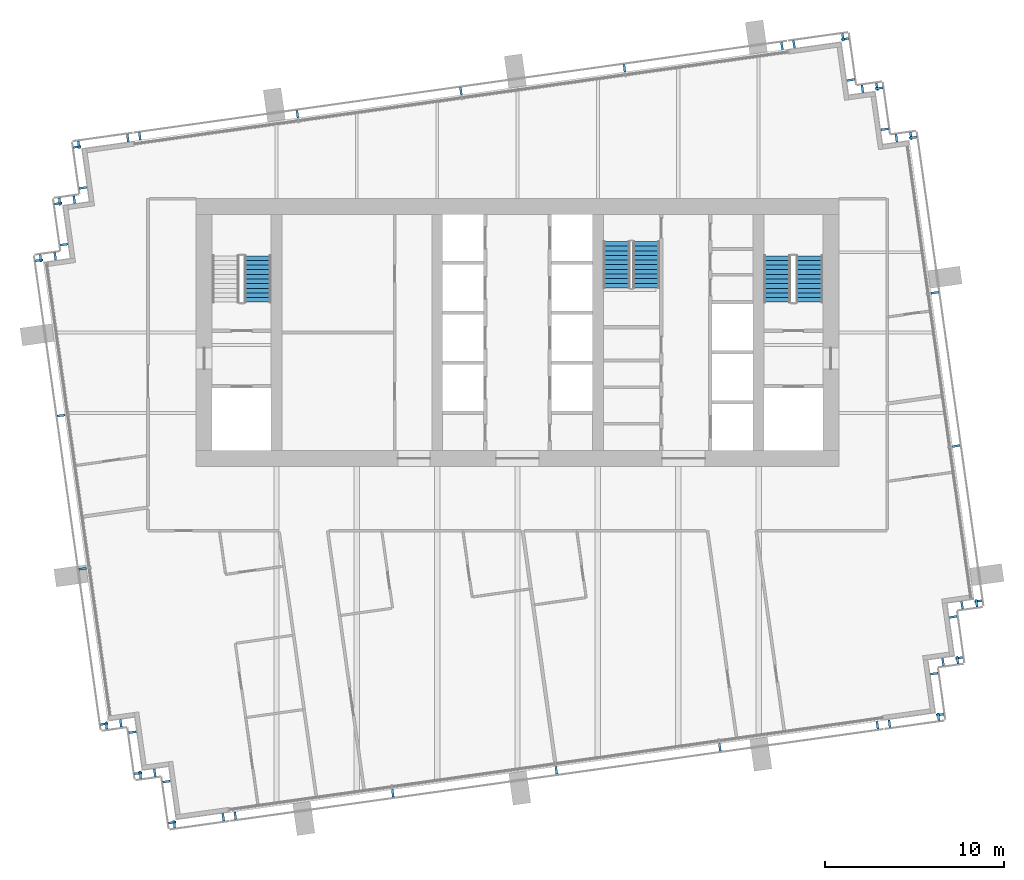
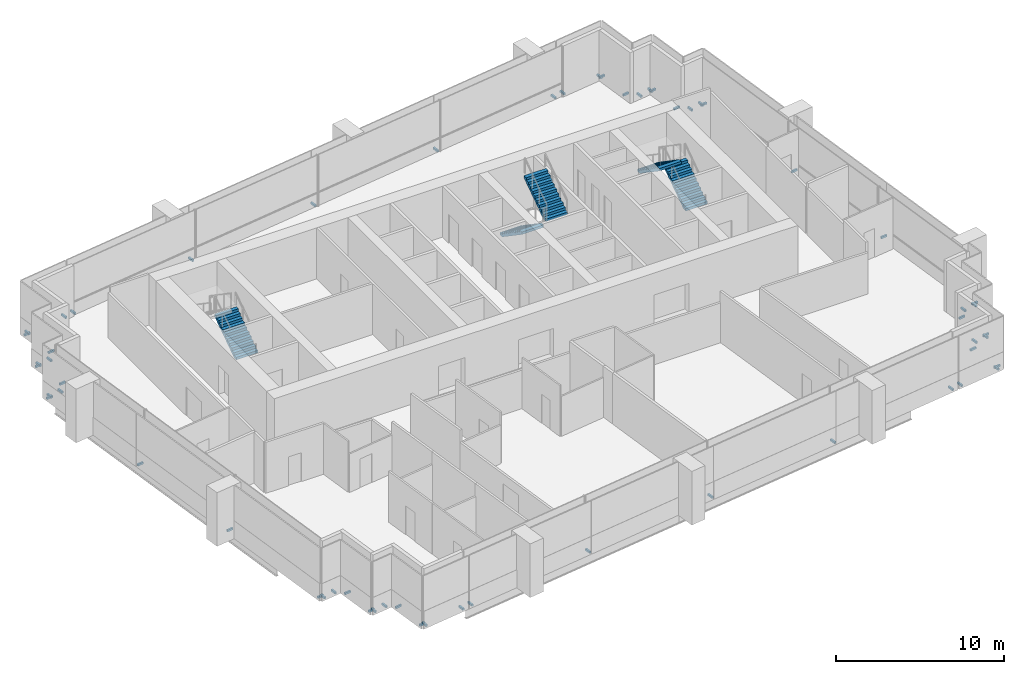
# One storey, part 11 of 15: 58 discrete accessories, 5 stair flights, 3 elements without a shape of their own.
"""IFC4 building model written with IfcOpenShell, lengths in metres."""

from ifc_helpers import new_model, si_unit, direction, frame, origin, origin_2d, place, context, subcontext, project, spatial, polyline, rectangle, outline, extrude, material, type_object, element, aggregate, save


model = new_model("IFC4")

# Units and contexts
model_context = context("Model", 3, precision=1e-05, world=origin(), true_north=direction((0.0, 1.0)))
body_context = subcontext(model_context, "Body", "Model", "MODEL_VIEW")
ifc_project = project(units=[si_unit("LENGTHUNIT", "METRE"), si_unit("AREAUNIT", "SQUARE_METRE"), si_unit("VOLUMEUNIT", "CUBIC_METRE"), si_unit("PLANEANGLEUNIT", "RADIAN"), si_unit("MASSUNIT", "GRAM", prefix="KILO")], contexts=[model_context])

# Site, building, storey
site_placement = place(None, origin())
site = spatial("IfcSite", under=ifc_project, at=site_placement, CompositionType="ELEMENT")
building_placement = place(site_placement, origin())
building = spatial("IfcBuilding", under=site, at=building_placement, Name="Rattan Terrace Tower", CompositionType="ELEMENT")
storey_placement = place(building_placement, frame((0.0, 0.0, 274.60009765625)))
storey = spatial("IfcBuildingStorey", under=building, at=storey_placement, Name="L63", CompositionType="ELEMENT", Elevation=274.60009765625)

# Stair, stair flight
ifc_material_1 = material(Name="Concrete C40/50", Category="concrete")
stair_type = type_object("IfcStairType", Name="Core exit stair 1500", PredefinedType="HALF_TURN_STAIR", material=ifc_material_1)
stair_1_placement = place(storey_placement, origin())
stair_1 = element("IfcStair", 1, at=stair_1_placement, inside=storey, type_object=stair_type, Name="L63 exit stair 1", PredefinedType="HALF_TURN_STAIR")
ifc_material_2 = material(Name="Concrete C40/50", Category="concrete")
stair_flight_type = type_object("IfcStairFlightType", Name="Core exit stair flight 1500", PredefinedType="STRAIGHT", material=ifc_material_2)
stair_flight_1_placement = place(storey_placement, frame((-14.550048828125, 1.699951171875, 0.0), z_axis=(0.0, 0.0, 1.0), x_axis=(0.0, 1.0, 0.0)))
stair_flight_1 = element("IfcStairFlight", 2, at=stair_flight_1_placement, type_object=stair_flight_type, Name="S1 flight 1", NumberOfRisers=11, NumberOfTreads=10, PredefinedType="STRAIGHT", RiserHeight=0.177272727, TreadLength=0.26, context=body_context, shape_type="SweptSolid", body=[
    extrude(outline(polyline([(0.0, 0.0), (0.0, 0.17724609375), (0.260009765625, 0.17724609375), (0.260009765625, 0.3544921875), (0.52001953125, 0.3544921875), (0.52001953125, 0.53173828125), (0.780029296875, 0.53173828125), (0.780029296875, 0.708984375), (1.0400390625, 0.708984375), (1.0400390625, 0.886474609375), (1.300048828125, 0.886474609375), (1.300048828125, 1.063720703125), (1.56005859375, 1.063720703125), (1.56005859375, 1.240966796875), (1.820068359375, 1.240966796875), (1.820068359375, 1.418212890625), (2.080078125, 1.418212890625), (2.080078125, 1.595458984375), (2.340087890625, 1.595458984375), (2.340087890625, 1.772705078125), (2.60009765625, 1.772705078125), (2.60009765625, 1.949951171875), (2.60009765625, 1.59130859375), (0.26611328125, 0.0), (0.0, 0.0)])), frame((0.0, 0.75, 0.0), z_axis=(0.0, -1.0, 0.0), x_axis=(1.0, 0.0, 0.0)), (0.0, 0.0, 1.0), 1.5),
])
aggregate(stair_1, [stair_flight_1])

# Stair, stair flights
stair_2_placement = place(storey_placement, origin())
stair_2 = element("IfcStair", 3, at=stair_2_placement, inside=storey, type_object=stair_type, Name="L63 exit stair 2", PredefinedType="HALF_TURN_STAIR")
stair_flight_2_placement = place(storey_placement, frame((16.35009765625, 1.699951171875, 0.0), z_axis=(0.0, 0.0, 1.0), x_axis=(0.0, 1.0, 0.0)))
stair_flight_2 = element("IfcStairFlight", 4, at=stair_flight_2_placement, type_object=stair_flight_type, Name="S2 flight 1", NumberOfRisers=11, NumberOfTreads=10, PredefinedType="STRAIGHT", RiserHeight=0.177272727, TreadLength=0.26, context=body_context, shape_type="SweptSolid", body=[
    extrude(outline(polyline([(0.0, 0.0), (0.0, 0.17724609375), (0.260009765625, 0.17724609375), (0.260009765625, 0.3544921875), (0.52001953125, 0.3544921875), (0.52001953125, 0.53173828125), (0.780029296875, 0.53173828125), (0.780029296875, 0.708984375), (1.0400390625, 0.708984375), (1.0400390625, 0.886474609375), (1.300048828125, 0.886474609375), (1.300048828125, 1.063720703125), (1.56005859375, 1.063720703125), (1.56005859375, 1.240966796875), (1.820068359375, 1.240966796875), (1.820068359375, 1.418212890625), (2.080078125, 1.418212890625), (2.080078125, 1.595458984375), (2.340087890625, 1.595458984375), (2.340087890625, 1.772705078125), (2.60009765625, 1.772705078125), (2.60009765625, 1.949951171875), (2.60009765625, 1.59130859375), (0.26611328125, 0.0), (0.0, 0.0)])), frame((0.0, 0.75, 0.0), z_axis=(0.0, -1.0, 0.0), x_axis=(1.0, 0.0, 0.0)), (0.0, 0.0, 1.0), 1.5),
])
stair_flight_3_placement = place(storey_placement, frame((14.550048828125, 4.300048828125, 1.949951171875), z_axis=(0.0, 0.0, 1.0), x_axis=(0.0, -1.0, 0.0)))
stair_flight_3 = element("IfcStairFlight", 5, at=stair_flight_3_placement, type_object=stair_flight_type, Name="S2 flight 2", NumberOfRisers=11, NumberOfTreads=10, PredefinedType="STRAIGHT", RiserHeight=0.177272727, TreadLength=0.26, context=body_context, shape_type="SweptSolid", body=[
    extrude(outline(polyline([(0.0, 0.0), (0.0, 0.17724609375), (0.260009765625, 0.17724609375), (0.260009765625, 0.3544921875), (0.52001953125, 0.3544921875), (0.52001953125, 0.53173828125), (0.780029296875, 0.53173828125), (0.780029296875, 0.708984375), (1.0400390625, 0.708984375), (1.0400390625, 0.886474609375), (1.300048828125, 0.886474609375), (1.300048828125, 1.063720703125), (1.56005859375, 1.063720703125), (1.56005859375, 1.240966796875), (1.820068359375, 1.240966796875), (1.820068359375, 1.418212890625), (2.080078125, 1.418212890625), (2.080078125, 1.595458984375), (2.340087890625, 1.595458984375), (2.340087890625, 1.772705078125), (2.60009765625, 1.772705078125), (2.60009765625, 1.949951171875), (2.60009765625, 1.59130859375), (0.26611328125, 0.0), (0.0, 0.0)])), frame((0.0, 0.75, 0.0), z_axis=(0.0, -1.0, 0.0), x_axis=(1.0, 0.0, 0.0)), (0.0, 0.0, 1.0), 1.5),
])
aggregate(stair_2, [stair_flight_2, stair_flight_3])

stair_3_placement = place(storey_placement, origin())
stair_3 = element("IfcStair", 6, at=stair_3_placement, inside=storey, type_object=stair_type, Name="L63 exit stair 3", PredefinedType="HALF_TURN_STAIR")
stair_flight_4_placement = place(storey_placement, frame((5.550048828125, 5.10009765625, 0.0), z_axis=(0.0, 0.0, 1.0), x_axis=(0.0, -1.0, 0.0)))
stair_flight_4 = element("IfcStairFlight", 7, at=stair_flight_4_placement, type_object=stair_flight_type, Name="S3 flight 1", NumberOfRisers=11, NumberOfTreads=10, PredefinedType="STRAIGHT", RiserHeight=0.177272727, TreadLength=0.26, context=body_context, shape_type="SweptSolid", body=[
    extrude(outline(polyline([(0.0, 0.0), (0.0, 0.17724609375), (0.260009765625, 0.17724609375), (0.260009765625, 0.3544921875), (0.52001953125, 0.3544921875), (0.52001953125, 0.53173828125), (0.780029296875, 0.53173828125), (0.780029296875, 0.708984375), (1.0400390625, 0.708984375), (1.0400390625, 0.886474609375), (1.300048828125, 0.886474609375), (1.300048828125, 1.063720703125), (1.56005859375, 1.063720703125), (1.56005859375, 1.240966796875), (1.820068359375, 1.240966796875), (1.820068359375, 1.418212890625), (2.080078125, 1.418212890625), (2.080078125, 1.595458984375), (2.340087890625, 1.595458984375), (2.340087890625, 1.772705078125), (2.60009765625, 1.772705078125), (2.60009765625, 1.949951171875), (2.60009765625, 1.59130859375), (0.26611328125, 0.0), (0.0, 0.0)])), frame((0.0, 0.75, 0.0), z_axis=(0.0, -1.0, 0.0), x_axis=(1.0, 0.0, 0.0)), (0.0, 0.0, 1.0), 1.5),
])
stair_flight_5_placement = place(storey_placement, frame((7.199951171875, 2.5, 1.949951171875), z_axis=(0.0, 0.0, 1.0), x_axis=(0.0, 1.0, 0.0)))
stair_flight_5 = element("IfcStairFlight", 8, at=stair_flight_5_placement, type_object=stair_flight_type, Name="S3 flight 2", NumberOfRisers=11, NumberOfTreads=10, PredefinedType="STRAIGHT", RiserHeight=0.177272727, TreadLength=0.26, context=body_context, shape_type="SweptSolid", body=[
    extrude(outline(polyline([(0.0, 0.0), (0.0, 0.17724609375), (0.260009765625, 0.17724609375), (0.260009765625, 0.3544921875), (0.52001953125, 0.3544921875), (0.52001953125, 0.53173828125), (0.780029296875, 0.53173828125), (0.780029296875, 0.708984375), (1.0400390625, 0.708984375), (1.0400390625, 0.886474609375), (1.300048828125, 0.886474609375), (1.300048828125, 1.063720703125), (1.56005859375, 1.063720703125), (1.56005859375, 1.240966796875), (1.820068359375, 1.240966796875), (1.820068359375, 1.418212890625), (2.080078125, 1.418212890625), (2.080078125, 1.595458984375), (2.340087890625, 1.595458984375), (2.340087890625, 1.772705078125), (2.60009765625, 1.772705078125), (2.60009765625, 1.949951171875), (2.60009765625, 1.59130859375), (0.26611328125, 0.0), (0.0, 0.0)])), frame((0.0, 0.75, 0.0), z_axis=(0.0, -1.0, 0.0), x_axis=(1.0, 0.0, 0.0)), (0.0, 0.0, 1.0), 1.5),
])
aggregate(stair_3, [stair_flight_4, stair_flight_5])

# Discrete accessories
for number, where, z_axis, x_axis, name in (
    (9, (20.829833984375, -21.900634765625, -0.169921875), (0.0, 0.0, 1.0), (0.990293172258, 0.138994363123, 0.0), "Panel bracket L63-1"),
    (10, (23.5732421875, -21.515625, -0.169921875), (0.0, 0.0, 1.0), (0.990293172258, 0.138994363123, 0.0), "Panel bracket L63-2"),
    (11, (23.658203125, -21.40283203125, -0.169921875), (0.0, 0.0, 1.0), (-0.138994363123, 0.990293172258, 0.0), "Panel bracket L63-3"),
    (12, (23.335693359375, -19.10498046875, -0.169921875), (0.0, 0.0, 1.0), (-0.138994363123, 0.990293172258, 0.0), "Panel bracket L63-4"),
    (13, (23.829345703125, -18.449951171875, -0.169921875), (0.0, 0.0, 1.0), (0.990240767803, 0.139367219175, 0.0), "Panel bracket L63-5"),
    (14, (24.64111328125, -18.335693359375, -0.169921875), (0.0, 0.0, 1.0), (0.990240767803, 0.139367219175, 0.0), "Panel bracket L63-6"),
    (15, (24.726318359375, -18.22265625, -0.169921875), (0.0, 0.0, 1.0), (-0.139367219175, 0.990240767803, 0.0), "Panel bracket L63-7"),
    (16, (24.403076171875, -15.926025390625, -0.169921875), (0.0, 0.0, 1.0), (-0.139367219175, 0.990240767803, 0.0), "Panel bracket L63-8"),
    (17, (24.896484375, -15.27099609375, -0.169921875), (0.0, 0.0, 1.0), (0.99025370695, 0.139275252184, 0.0), "Panel bracket L63-9"),
    (18, (25.708984375, -15.15673828125, -0.169921875), (0.0, 0.0, 1.0), (0.99025370695, 0.139275252184, 0.0), "Panel bracket L63-10"),
    (19, (25.794189453125, -15.043701171875, -0.169921875), (0.0, 0.0, 1.0), (-0.139191775431, 0.990265444036, 0.0), "Panel bracket L63-11"),
    (20, (24.572509765625, -6.35205078125, -0.169921875), (0.0, 0.0, 1.0), (-0.139191775431, 0.990265444036, 0.0), "Panel bracket L63-12"),
    (21, (23.3662109375, 2.23046875, -0.169921875), (0.0, 0.0, 1.0), (-0.139191775431, 0.990265444036, 0.0), "Panel bracket L63-13"),
    (22, (22.14453125, 10.921142578125, -0.169921875), (0.0, 0.0, 1.0), (-0.139191775431, 0.990265444036, 0.0), "Panel bracket L63-14"),
    (23, (22.03173828125, 11.00634765625, -0.169921875), (0.0, 0.0, 1.0), (-0.990240767803, -0.139367219175, 0.0), "Panel bracket L63-15"),
    (24, (21.219970703125, 10.89208984375, -0.169921875), (0.0, 0.0, 1.0), (-0.990240767803, -0.139367219175, 0.0), "Panel bracket L63-16"),
    (25, (20.56494140625, 11.385498046875, -0.169921875), (0.0, 0.0, 1.0), (-0.139321220646, 0.990247240581, 0.0), "Panel bracket L63-17"),
    (26, (20.24169921875, 13.682861328125, -0.169921875), (0.0, 0.0, 1.0), (-0.139321220646, 0.990247240581, 0.0), "Panel bracket L63-18"),
    (27, (20.12841796875, 13.768310546875, -0.169921875), (0.0, 0.0, 1.0), (-0.990332587523, -0.138713251317, 0.0), "Panel bracket L63-19"),
    (28, (19.31689453125, 13.654541015625, -0.169921875), (0.0, 0.0, 1.0), (-0.990332587523, -0.138713251317, 0.0), "Panel bracket L63-20"),
    (29, (18.661865234375, 14.148193359375, -0.169921875), (0.0, 0.0, 1.0), (-0.139367219175, 0.990240767803, 0.0), "Panel bracket L63-21"),
    (30, (18.338623046875, 16.445068359375, -0.169921875), (0.0, 0.0, 1.0), (-0.139367219175, 0.990240767803, 0.0), "Panel bracket L63-22"),
    (31, (18.2255859375, 16.5302734375, -0.169921875), (0.0, 0.0, 1.0), (-0.990286729519, -0.139040257974, 0.0), "Panel bracket L63-23"),
    (32, (15.4833984375, 16.145263671875, -0.169921875), (0.0, 0.0, 1.0), (-0.990286729519, -0.139040257974, 0.0), "Panel bracket L63-24"),
    (33, (14.81005859375, 16.050537109375, -0.169921875), (0.0, 0.0, 1.0), (-0.990265894013, -0.139188574079, 0.0), "Panel bracket L63-25"),
    (34, (5.98779296875, 14.810546875, -0.169921875), (0.0, 0.0, 1.0), (-0.990265894013, -0.139188574079, 0.0), "Panel bracket L63-26"),
    (35, (-3.171142578125, 13.523193359375, -0.169921875), (0.0, 0.0, 1.0), (-0.990265894013, -0.139188574079, 0.0), "Panel bracket L63-27"),
    (36, (-12.330078125, 12.23583984375, -0.169921875), (0.0, 0.0, 1.0), (-0.990265894013, -0.139188574079, 0.0), "Panel bracket L63-28"),
    (37, (-21.156494140625, 10.995361328125, -0.169921875), (0.0, 0.0, 1.0), (-0.990265894013, -0.139188574079, 0.0), "Panel bracket L63-29"),
    (38, (-21.829833984375, 10.900634765625, -0.169921875), (0.0, 0.0, 1.0), (-0.990293172258, -0.138994363123, 0.0), "Panel bracket L63-30"),
    (39, (-24.5732421875, 10.515625, -0.169921875), (0.0, 0.0, 1.0), (-0.990293172258, -0.138994363123, 0.0), "Panel bracket L63-31"),
    (40, (-24.658203125, 10.40283203125, -0.169921875), (0.0, 0.0, 1.0), (0.138994363123, -0.990293172258, 0.0), "Panel bracket L63-32"),
    (41, (-24.335693359375, 8.10498046875, -0.169921875), (0.0, 0.0, 1.0), (0.138994363123, -0.990293172258, 0.0), "Panel bracket L63-33"),
    (42, (-24.829345703125, 7.449951171875, -0.169921875), (0.0, 0.0, 1.0), (-0.990240767803, -0.139367219175, 0.0), "Panel bracket L63-34"),
    (43, (-25.64111328125, 7.335693359375, -0.169921875), (0.0, 0.0, 1.0), (-0.990240767803, -0.139367219175, 0.0), "Panel bracket L63-35"),
    (44, (-25.726318359375, 7.22265625, -0.169921875), (0.0, 0.0, 1.0), (0.139367219175, -0.990240767803, 0.0), "Panel bracket L63-36"),
    (45, (-25.403076171875, 4.926025390625, -0.169921875), (0.0, 0.0, 1.0), (0.139367219175, -0.990240767803, 0.0), "Panel bracket L63-37"),
    (46, (-25.896484375, 4.27099609375, -0.169921875), (0.0, 0.0, 1.0), (-0.99025370695, -0.139275252184, 0.0), "Panel bracket L63-38"),
    (47, (-26.708984375, 4.15673828125, -0.169921875), (0.0, 0.0, 1.0), (-0.99025370695, -0.139275252184, 0.0), "Panel bracket L63-39"),
    (48, (-26.794189453125, 4.043701171875, -0.169921875), (0.0, 0.0, 1.0), (0.139191775431, -0.990265444036, 0.0), "Panel bracket L63-40"),
    (49, (-25.572509765625, -4.64794921875, -0.169921875), (0.0, 0.0, 1.0), (0.139191775431, -0.990265444036, 0.0), "Panel bracket L63-41"),
    (50, (-24.3662109375, -13.23046875, -0.169921875), (0.0, 0.0, 1.0), (0.139191775431, -0.990265444036, 0.0), "Panel bracket L63-42"),
    (51, (-23.14453125, -21.921142578125, -0.169921875), (0.0, 0.0, 1.0), (0.139191775431, -0.990265444036, 0.0), "Panel bracket L63-43"),
    (52, (-23.03173828125, -22.00634765625, -0.169921875), (0.0, 0.0, 1.0), (0.990240767803, 0.139367219175, 0.0), "Panel bracket L63-44"),
    (53, (-22.219970703125, -21.89208984375, -0.169921875), (0.0, 0.0, 1.0), (0.990240767803, 0.139367219175, 0.0), "Panel bracket L63-45"),
    (54, (-21.56494140625, -22.385498046875, -0.169921875), (0.0, 0.0, 1.0), (0.139321220646, -0.990247240581, 0.0), "Panel bracket L63-46"),
    (55, (-21.24169921875, -24.682861328125, -0.169921875), (0.0, 0.0, 1.0), (0.139321220646, -0.990247240581, 0.0), "Panel bracket L63-47"),
    (56, (-21.12841796875, -24.768310546875, -0.169921875), (0.0, 0.0, 1.0), (0.990332587523, 0.138713251317, 0.0), "Panel bracket L63-48"),
    (57, (-20.31689453125, -24.654541015625, -0.169921875), (0.0, 0.0, 1.0), (0.990332587523, 0.138713251317, 0.0), "Panel bracket L63-49"),
    (58, (-19.661865234375, -25.148193359375, -0.169921875), (0.0, 0.0, 1.0), (0.139367219175, -0.990240767803, 0.0), "Panel bracket L63-50"),
    (59, (-19.338623046875, -27.445068359375, -0.169921875), (0.0, 0.0, 1.0), (0.139367219175, -0.990240767803, 0.0), "Panel bracket L63-51"),
    (60, (-19.2255859375, -27.5302734375, -0.169921875), (0.0, 0.0, 1.0), (0.990286729519, 0.139040257974, 0.0), "Panel bracket L63-52"),
    (61, (-16.4833984375, -27.145263671875, -0.169921875), (0.0, 0.0, 1.0), (0.990286729519, 0.139040257974, 0.0), "Panel bracket L63-53"),
    (62, (-15.81005859375, -27.050537109375, -0.169921875), (0.0, 0.0, 1.0), (0.990265894013, 0.139188574079, 0.0), "Panel bracket L63-54"),
    (63, (-6.98779296875, -25.810546875, -0.169921875), (0.0, 0.0, 1.0), (0.990265894013, 0.139188574079, 0.0), "Panel bracket L63-55"),
    (64, (2.171142578125, -24.523193359375, -0.169921875), (0.0, 0.0, 1.0), (0.990265894013, 0.139188574079, 0.0), "Panel bracket L63-56"),
    (65, (11.330078125, -23.23583984375, -0.169921875), (0.0, 0.0, 1.0), (0.990265894013, 0.139188574079, 0.0), "Panel bracket L63-57"),
    (66, (20.156494140625, -21.995361328125, -0.169921875), (0.0, 0.0, 1.0), (0.990265894013, 0.139188574079, 0.0), "Panel bracket L63-58"),
):
    element("IfcDiscreteAccessory", number, at=place(storey_placement, frame(where, z_axis=z_axis, x_axis=x_axis)), inside=storey, Name=name, PredefinedType="BRACKET", context=body_context, shape_type="SweptSolid", body=[
        extrude(rectangle(XDim=0.1201171875, YDim=0.419921875, at=origin_2d()), origin(), (0.0, 0.0, 1.0), 0.139892578125),
    ])

save(model, "model.ifc")
